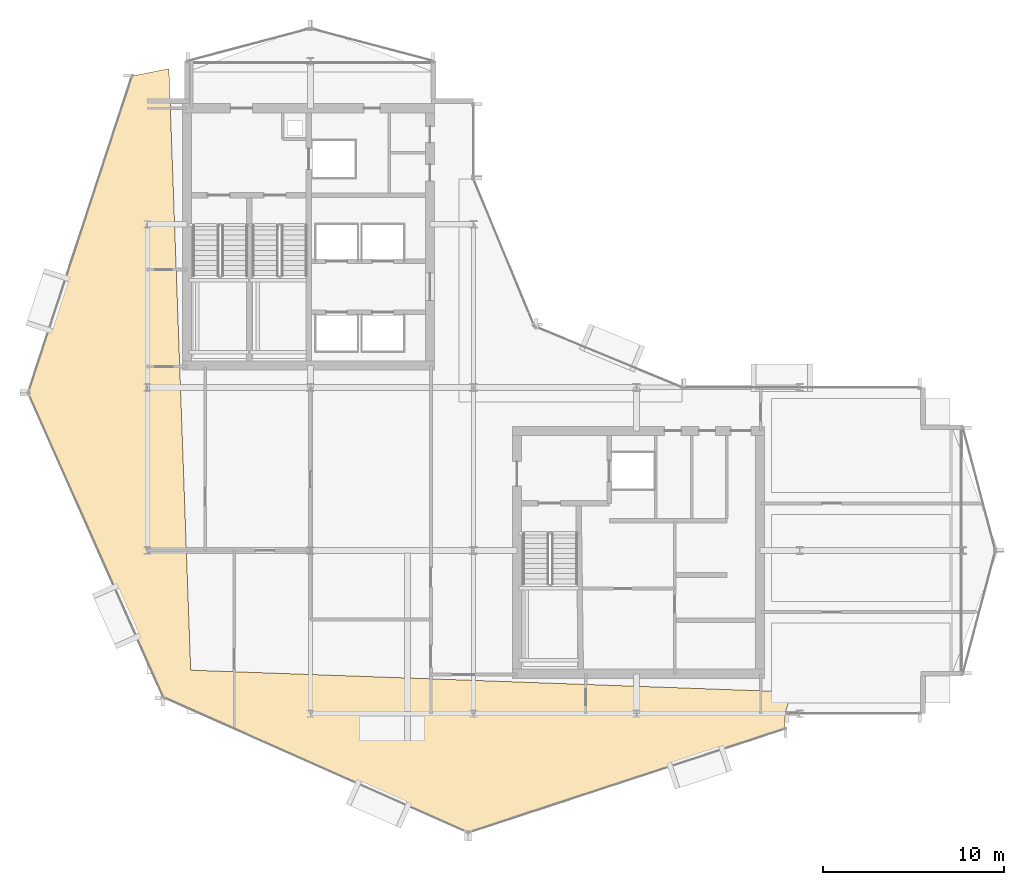
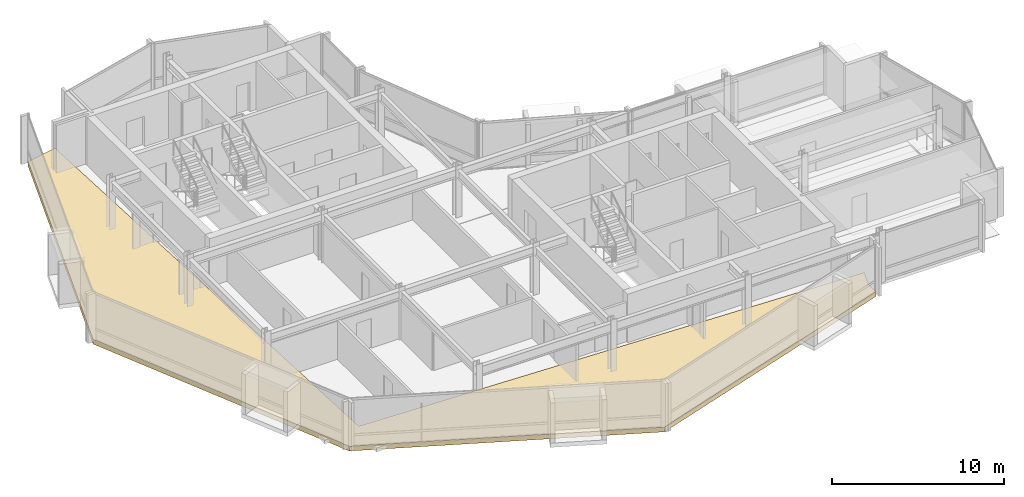
# One storey, part 25 of 28: 1 covering.
"""IFC4 building model written with IfcOpenShell, lengths in metres."""

from ifc_helpers import new_model, si_unit, direction, frame, origin, place, context, subcontext, project, spatial, polyline, outline, extrude, material, layer, layer_set, type_object, element, save


model = new_model("IFC4")

# Units and contexts
model_context = context("Model", 3, precision=1e-05, world=origin(), true_north=direction((0.0, 1.0)))
body_context = subcontext(model_context, "Body", "Model", "MODEL_VIEW")
ifc_project = project(units=[si_unit("LENGTHUNIT", "METRE"), si_unit("AREAUNIT", "SQUARE_METRE"), si_unit("VOLUMEUNIT", "CUBIC_METRE"), si_unit("PLANEANGLEUNIT", "RADIAN"), si_unit("MASSUNIT", "GRAM", prefix="KILO")], contexts=[model_context])

# Site, building, storey
site_placement = place(None, origin())
site = spatial("IfcSite", under=ifc_project, at=site_placement, CompositionType="ELEMENT")
building_placement = place(site_placement, origin())
building = spatial("IfcBuilding", under=site, at=building_placement, Name="Solvaryn Broadcast Tower", CompositionType="ELEMENT")
storey_placement = place(building_placement, frame((0.0, 0.0, 206.199951171875)))
storey = spatial("IfcBuildingStorey", under=building, at=storey_placement, Name="L51", CompositionType="ELEMENT", Elevation=206.199951171875)

# Covering
ifc_material = material(Name="Sculpted Architectural Terracotta Wave Fascia", Category="masonry")
ifc_layer = layer(ifc_material, 0.340087890625)
ifc_layer_set = layer_set([ifc_layer], Name="CV-WAVE-TRAY")
covering_type = type_object("IfcCoveringType", Name="CV-WAVE-TRAY", PredefinedType="CLADDING", material=ifc_layer_set)
covering_placement = place(storey_placement, frame((0.0, 0.0, -0.300048828125)))
element("IfcCovering", 1, at=covering_placement, inside=storey, type_object=covering_type, Name="L51 Stepped Cylindrical Drum Floor Apron", PredefinedType="CLADDING", context=body_context, shape_type="SweptSolid", body=[
    extrude(outline(polyline([(10.199951171875, 44.58203125), (8.1630859375, 44.181884765625), (2.43310546875, 26.7060546875), (9.89794921875, 9.89794921875), (26.7060546875, 2.43310546875), (44.181884765625, 8.1630859375), (44.181884765625, 9.0), (44.58203125, 10.199951171875), (11.39990234375, 11.39990234375), (10.199951171875, 44.58203125)])), origin(), (0.0, 0.0, 1.0), 0.330078125),
])

save(model, "model.ifc")
